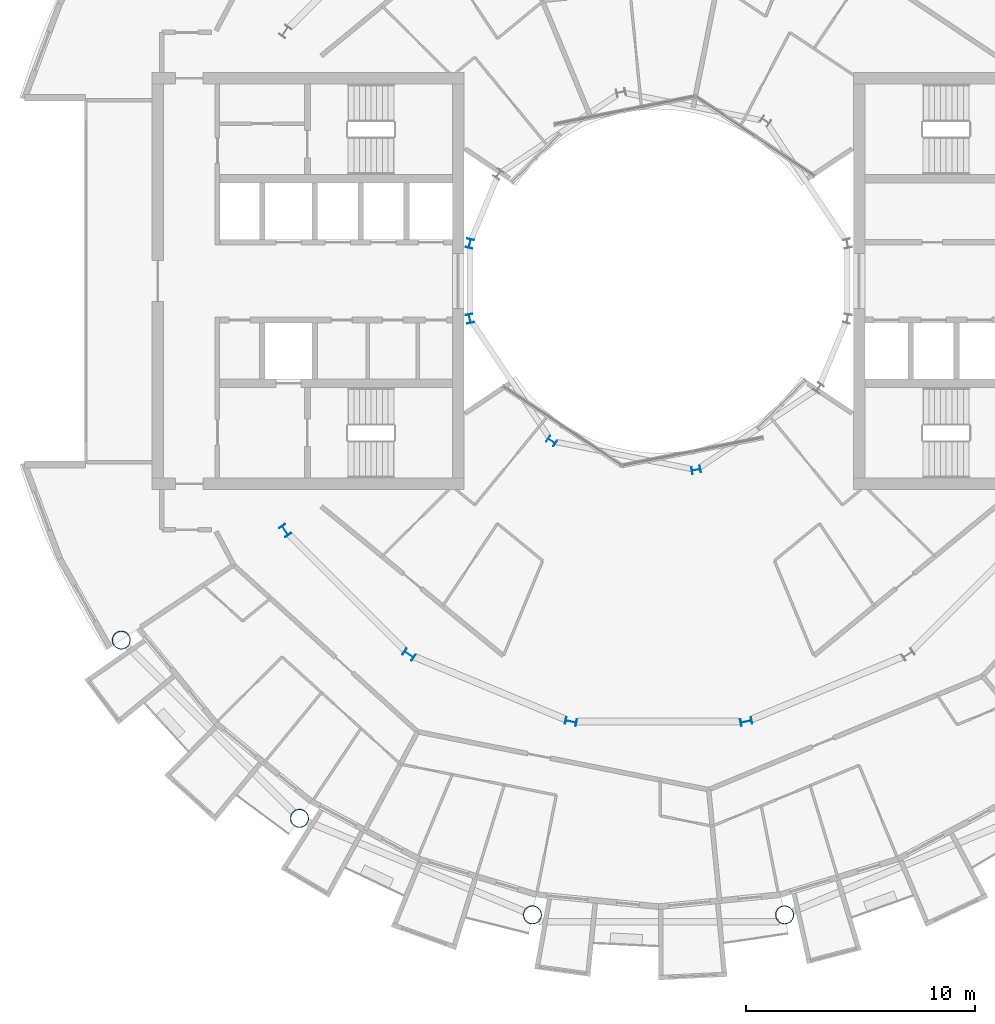
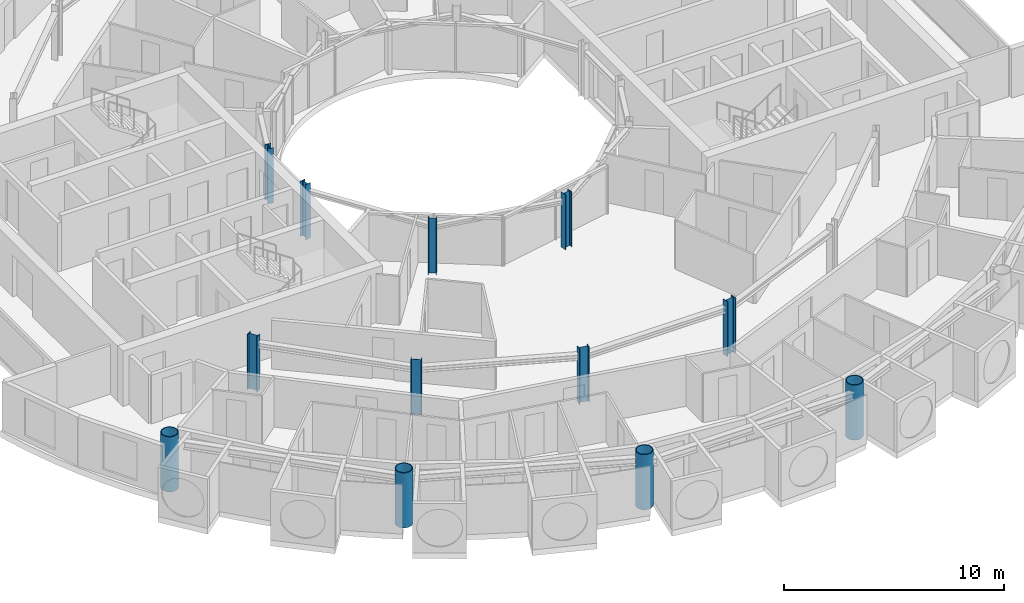
# One storey, part 1 of 27: 12 columns.
"""IFC4 building model written with IfcOpenShell, lengths in metres."""

from ifc_helpers import new_model, si_unit, direction, frame, origin, origin_2d, place, context, subcontext, project, spatial, hollow_circle, i_section, extrude, material, material_profile, profile_set, type_object, element, save


model = new_model("IFC4")

# Units and contexts
model_context = context("Model", 3, precision=1e-05, world=origin(), true_north=direction((0.0, 1.0)))
body_context = subcontext(model_context, "Body", "Model", "MODEL_VIEW")
ifc_project = project(units=[si_unit("LENGTHUNIT", "METRE"), si_unit("AREAUNIT", "SQUARE_METRE"), si_unit("VOLUMEUNIT", "CUBIC_METRE"), si_unit("PLANEANGLEUNIT", "RADIAN"), si_unit("MASSUNIT", "GRAM", prefix="KILO")], contexts=[model_context])

# Site, building, storey
site_placement = place(None, origin())
site = spatial("IfcSite", under=ifc_project, at=site_placement, CompositionType="ELEMENT")
building_placement = place(site_placement, origin())
building = spatial("IfcBuilding", under=site, at=building_placement, Name="Maasbend Ring Residences", CompositionType="ELEMENT")
storey_placement = place(building_placement, frame((0.0, 0.0, 148.25)))
storey = spatial("IfcBuildingStorey", under=building, at=storey_placement, Name="L42", CompositionType="ELEMENT", Elevation=148.25)

# Columns
ifc_material_1 = material(Name="Composite concrete-filled steel tube S460NH / C80/95", Category="concrete")
ifc_material_profile_1 = material_profile(ifc_material_1, hollow_circle(Radius=0.406494140625, WallThickness=0.0400390625, at=origin_2d()), Name="Composite tube column CHS 813x40")
ifc_profile_set_1 = profile_set([ifc_material_profile_1], Name="Composite concrete-filled steel tube S460NH / C80/95")
column_type_1 = type_object("IfcColumnType", Name="Composite tube column CHS 813x40", PredefinedType="COLUMN", material=ifc_profile_set_1)
for number, where, z_axis, x_axis, name in (
    (1, (-23.447509765625, -15.6669921875, 0.0), (0.0, 0.0, 1.0), (1.0, 0.0, 0.0), "Outer column R10"),
    (2, (-15.6669921875, -23.447509765625, 0.0), (0.0, 0.0, 1.0), (1.0, 0.0, 0.0), "Outer column R11"),
    (3, (-5.50146484375, -27.658203125, 0.0), (0.0, 0.0, 1.0), (1.0, 0.0, 0.0), "Outer column R12"),
    (4, (5.50146484375, -27.658203125, 0.0), (0.0, 0.0, 1.0), (1.0, 0.0, 0.0), "Outer column R13"),
):
    element("IfcColumn", number, at=place(storey_placement, frame(where, z_axis=z_axis, x_axis=x_axis)), inside=storey, type_object=column_type_1, Name=name, PredefinedType="COLUMN", context=body_context, shape_type="SweptSolid", body=[
        extrude(hollow_circle(Radius=0.406494140625, WallThickness=0.0400390625, at=origin_2d()), origin(), (0.0, 0.0, 1.0), 3.050048828125),
    ])
ifc_material_2 = material(Name="Steel S355J2", Category="steel")
ifc_material_profile_2 = material_profile(ifc_material_2, i_section(OverallWidth=0.300048828125, OverallDepth=0.389892578125, WebThickness=0.010986328125, FlangeThickness=0.01904296875, FilletRadius=0.027099609375, at=origin_2d()), Name="HEA 400")
ifc_profile_set_2 = profile_set([ifc_material_profile_2], Name="Steel S355J2")
column_type_2 = type_object("IfcColumnType", Name="Steel column HEA 400", PredefinedType="COLUMN", material=ifc_profile_set_2)
for number, where, z_axis, x_axis, name in (
    (5, (-8.238525390625, 1.638916015625, 0.0), (0.0, 0.0, 1.0), (-0.980785280403, 0.195090322016, 0.0), "Well ring column R8"),
    (6, (-8.238525390625, -1.638916015625, 0.0), (0.0, 0.0, 1.0), (-0.980785280403, -0.195090322016, 0.0), "Well ring column R9"),
    (7, (-4.666748046875, -6.984375, 0.0), (0.0, 0.0, 1.0), (-0.55557023302, -0.831469612303, 0.0), "Well ring column R11"),
    (8, (1.638916015625, -8.238525390625, 0.0), (0.0, 0.0, 1.0), (0.195090322016, -0.980785280403, 0.0), "Well ring column R13"),
):
    element("IfcColumn", number, at=place(storey_placement, frame(where, z_axis=z_axis, x_axis=x_axis)), inside=storey, type_object=column_type_2, Name=name, PredefinedType="COLUMN", context=body_context, shape_type="SweptSolid", body=[
        extrude(i_section(OverallWidth=0.300048828125, OverallDepth=0.389892578125, WebThickness=0.010986328125, FlangeThickness=0.01904296875, FilletRadius=0.027099609375, at=origin_2d()), origin(), (0.0, 0.0, 1.0), 3.050048828125),
    ])
ifc_material_3 = material(Name="Steel S355J2", Category="steel")
ifc_material_profile_3 = material_profile(ifc_material_3, i_section(OverallWidth=0.300048828125, OverallDepth=0.5, WebThickness=0.014404296875, FlangeThickness=0.028076171875, FilletRadius=0.027099609375, at=origin_2d()), Name="HEB 500")
ifc_profile_set_3 = profile_set([ifc_material_profile_3], Name="Steel S355J2")
column_type_3 = type_object("IfcColumnType", Name="Steel column HEB 500", PredefinedType="COLUMN", material=ifc_profile_set_3)
for number, where, z_axis, x_axis, name in (
    (9, (-16.296875, -10.88916015625, 0.0), (0.0, 0.0, 1.0), (-0.831469612303, -0.55557023302, 0.0), "Corridor ring column R10"),
    (10, (-10.88916015625, -16.296875, 0.0), (0.0, 0.0, 1.0), (-0.55557023302, -0.831469612303, 0.0), "Corridor ring column R11"),
    (11, (-3.82373046875, -19.223388671875, 0.0), (0.0, 0.0, 1.0), (-0.195090322016, -0.980785280403, 0.0), "Corridor ring column R12"),
    (12, (3.82373046875, -19.223388671875, 0.0), (0.0, 0.0, 1.0), (0.195090322016, -0.980785280403, 0.0), "Corridor ring column R13"),
):
    element("IfcColumn", number, at=place(storey_placement, frame(where, z_axis=z_axis, x_axis=x_axis)), inside=storey, type_object=column_type_3, Name=name, PredefinedType="COLUMN", context=body_context, shape_type="SweptSolid", body=[
        extrude(i_section(OverallWidth=0.300048828125, OverallDepth=0.5, WebThickness=0.014404296875, FlangeThickness=0.028076171875, FilletRadius=0.027099609375, at=origin_2d()), origin(), (0.0, 0.0, 1.0), 3.050048828125),
    ])

save(model, "model.ifc")
